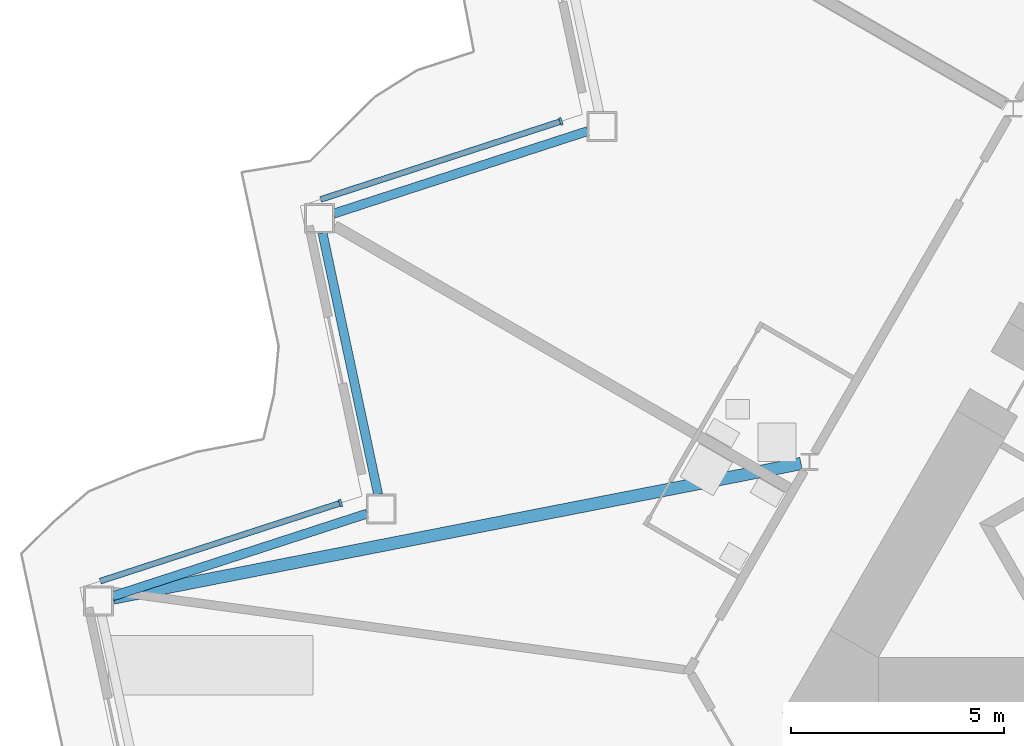
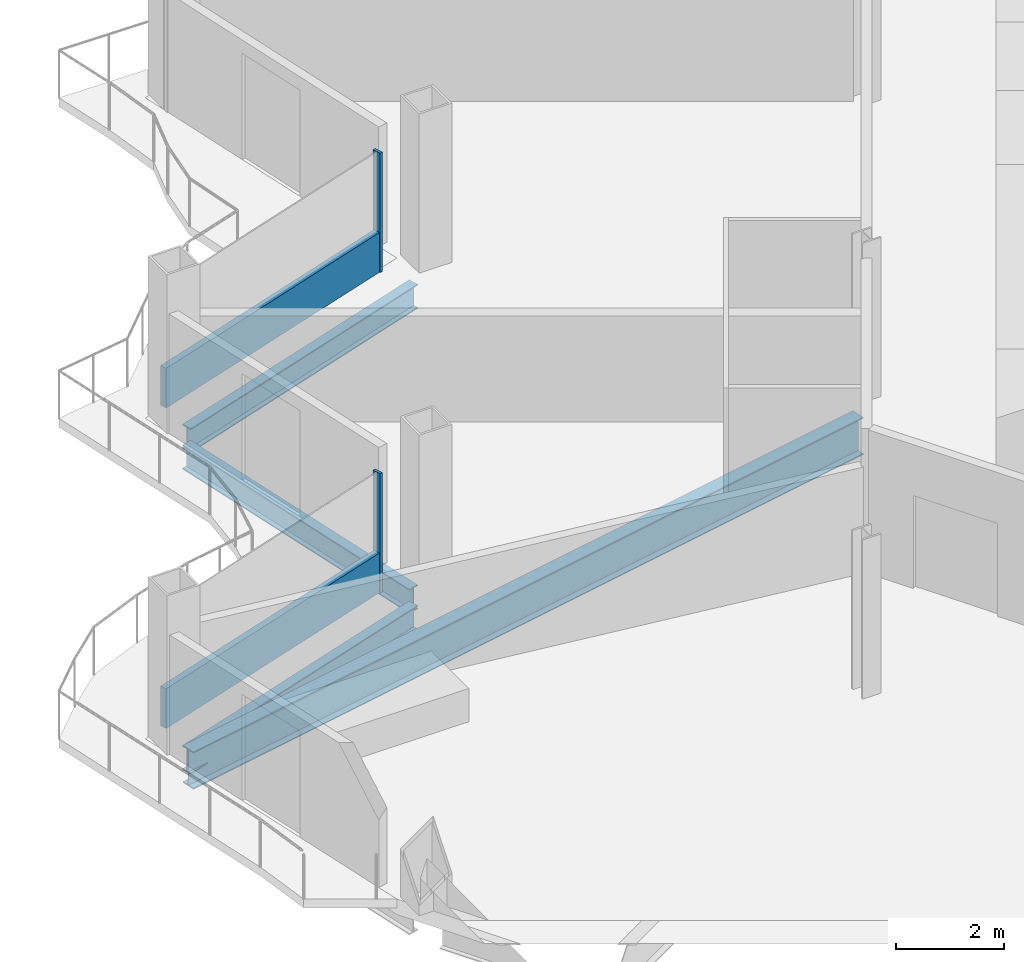
# One storey, part 5 of 23: 4 beams, 4 members, 2 elements without a shape of their own.
"""IFC4 building model written with IfcOpenShell, lengths in metres."""

from ifc_helpers import new_model, si_unit, direction, frame, origin, origin_2d, place, context, subcontext, project, spatial, rectangle, i_section, extrude, material, layer, layer_set, material_profile, profile_set, type_object, element, aggregate, save


model = new_model("IFC4")

# Units and contexts
model_context = context("Model", 3, precision=1e-05, world=origin(), true_north=direction((0.0, 1.0)))
body_context = subcontext(model_context, "Body", "Model", "MODEL_VIEW")
ifc_project = project(units=[si_unit("LENGTHUNIT", "METRE"), si_unit("AREAUNIT", "SQUARE_METRE"), si_unit("VOLUMEUNIT", "CUBIC_METRE"), si_unit("PLANEANGLEUNIT", "RADIAN"), si_unit("MASSUNIT", "GRAM", prefix="KILO")], contexts=[model_context])

# Site, building, storey
site_placement = place(None, origin())
site = spatial("IfcSite", under=ifc_project, at=site_placement, CompositionType="ELEMENT")
building_placement = place(site_placement, origin())
building = spatial("IfcBuilding", under=site, at=building_placement, Name="Cormorant Prow Tower", CompositionType="ELEMENT")
storey_placement = place(building_placement, frame((0.0, 0.0, 245.39990234375)))
storey = spatial("IfcBuildingStorey", under=building, at=storey_placement, Name="L54", CompositionType="ELEMENT", Elevation=245.39990234375)

# Curtain wall, member
ifc_material_1 = material(Name="Aluminium 6063-T6", Category="aluminium")
ifc_layer = layer(ifc_material_1, 0.179931640625)
ifc_layer_set = layer_set([ifc_layer], Name="Aluminium 6063-T6")
curtain_wall_type = type_object("IfcCurtainWallType", Name="Hotel unitised curtain wall 180", PredefinedType="NOTDEFINED", material=ifc_layer_set)
curtain_wall_1_placement = place(storey_placement, origin())
curtain_wall_1 = element("IfcCurtainWall", 1, at=curtain_wall_1_placement, inside=storey, type_object=curtain_wall_type, Name="Hotel curtain wall WNW06", PredefinedType="NOTDEFINED")
ifc_material_2 = material(Name="Aluminium 6063-T6", Category="aluminium")
ifc_material_profile_1 = material_profile(ifc_material_2, rectangle(XDim=0.179931640625, YDim=0.06005859375, at=origin_2d()), Name="Hotel mullion 60x180")
ifc_profile_set_1 = profile_set([ifc_material_profile_1], Name="Aluminium 6063-T6")
member_type_1 = type_object("IfcMemberType", Name="Hotel mullion 60x180", PredefinedType="MULLION", material=ifc_profile_set_1)
member_1_placement = place(storey_placement, frame((-20.203857421875, 5.232666015625, 0.0), z_axis=(0.0, 0.0, 1.0), x_axis=(0.309017031391, -0.951056504268, 0.0)))
member_1 = element("IfcMember", 2, at=member_1_placement, type_object=member_type_1, Name="Hotel mullion WNW06", PredefinedType="MULLION", context=body_context, shape_type="SweptSolid", body=[
    extrude(rectangle(XDim=0.179931640625, YDim=0.06005859375, at=origin_2d()), origin(), (0.0, 0.0, 1.0), 2.700927734375),
])

curtain_wall_2_placement = place(storey_placement, origin())
curtain_wall_2 = element("IfcCurtainWall", 3, at=curtain_wall_2_placement, inside=storey, type_object=curtain_wall_type, Name="Hotel curtain wall WNW08", PredefinedType="NOTDEFINED")
member_2_placement = place(storey_placement, frame((-25.379638671875, -3.73193359375, 0.0), z_axis=(0.0, 0.0, 1.0), x_axis=(0.30901690152, -0.951056546466, 0.0)))
member_2 = element("IfcMember", 4, at=member_2_placement, type_object=member_type_1, Name="Hotel mullion WNW08", PredefinedType="MULLION", context=body_context, shape_type="SweptSolid", body=[
    extrude(rectangle(XDim=0.179931640625, YDim=0.06005859375, at=origin_2d()), origin(), (0.0, 0.0, 1.0), 2.700927734375),
])

# Member
ifc_material_3 = material(Name="Terracotta", Category="masonry")
ifc_material_profile_2 = material_profile(ifc_material_3, rectangle(XDim=0.139892578125, YDim=0.89990234375, at=origin_2d()), Name="Hotel terracotta spandrel rail 140x900")
ifc_profile_set_2 = profile_set([ifc_material_profile_2], Name="Terracotta")
member_type_2 = type_object("IfcMemberType", Name="Hotel terracotta spandrel rail 140x900", PredefinedType="USERDEFINED", material=ifc_profile_set_2)
member_3_placement = place(storey_placement, frame((-20.232421875, 5.223388671875, 0.4501953125), z_axis=(-0.9510589899, -0.309009381297, 0.0), x_axis=(0.309009381297, -0.9510589899, 0.0)))
member_3 = element("IfcMember", 5, at=member_3_placement, type_object=member_type_2, Name="Hotel spandrel rail WNW06", ObjectType="TRANSOM", PredefinedType="USERDEFINED", context=body_context, shape_type="SweptSolid", body=[
    extrude(rectangle(XDim=0.139892578125, YDim=0.89990234375, at=origin_2d()), origin(), (0.0, 0.0, 1.0), 5.902587890625),
])

aggregate(curtain_wall_1, [member_1, member_3])

member_4_placement = place(storey_placement, frame((-25.408203125, -3.7412109375, 0.4501953125), z_axis=(-0.9510589899, -0.309009381297, 0.0), x_axis=(0.309009381297, -0.9510589899, 0.0)))
member_4 = element("IfcMember", 6, at=member_4_placement, type_object=member_type_2, Name="Hotel spandrel rail WNW08", ObjectType="TRANSOM", PredefinedType="USERDEFINED", context=body_context, shape_type="SweptSolid", body=[
    extrude(rectangle(XDim=0.139892578125, YDim=0.89990234375, at=origin_2d()), origin(), (0.0, 0.0, 1.0), 5.902587890625),
])

aggregate(curtain_wall_2, [member_2, member_4])

# Beams
ifc_material_4 = material(Name="Structural steel ASTM A992 Gr 50", Category="steel")
ifc_material_profile_3 = material_profile(ifc_material_4, i_section(OverallWidth=0.29296875, OverallDepth=0.845703125, WebThickness=0.015380859375, FlangeThickness=0.0244140625, at=origin_2d()), Name="W33x141")
ifc_profile_set_3 = profile_set([ifc_material_profile_3], Name="Structural steel ASTM A992 Gr 50")
beam_type_1 = type_object("IfcBeamType", Name="Radial floor beam W33x141", PredefinedType="BEAM", material=ifc_profile_set_3)
beam_placement = place(storey_placement, frame((-14.5634765625, -2.80322265625, -0.772705078125), z_axis=(-0.981419133752, -0.191876220269, 0.0), x_axis=(0.191876220269, -0.981419133752, 0.0)))
element("IfcBeam", 7, at=beam_placement, inside=storey, type_object=beam_type_1, Name="Radial floor beam FB2 4 L54", PredefinedType="BEAM", context=body_context, shape_type="SweptSolid", body=[
    extrude(i_section(OverallWidth=0.29296875, OverallDepth=0.845703125, WebThickness=0.015380859375, FlangeThickness=0.0244140625, at=origin_2d()), origin(), (0.0, 0.0, 1.0), 16.462158203125),
])
ifc_material_5 = material(Name="Structural steel ASTM A992 Gr 50", Category="steel")
ifc_material_profile_4 = material_profile(ifc_material_5, i_section(OverallWidth=0.2138671875, OverallDepth=0.549072265625, WebThickness=0.0146484375, FlangeThickness=0.023681640625, at=origin_2d()), Name="W21x93")
ifc_profile_set_4 = profile_set([ifc_material_profile_4], Name="Structural steel ASTM A992 Gr 50")
beam_type_2 = type_object("IfcBeamType", Name="Spandrel beam W21x93", PredefinedType="SPANDREL", material=ifc_profile_set_4)
for number, where, z_axis, x_axis, name in (
    (8, (-19.568115234375, 5.00634765625, -0.62451171875), (-0.951061771288, -0.309000820701, 0.0), (0.309000820701, -0.951061771288, 0.0), "Spandrel beam SB2 WNW06-WNW07 L54"),
    (9, (-25.80224609375, 2.61474609375, -0.62451171875), (0.207941499013, -0.978141264331, 0.0), (0.978141264331, 0.207941499013, 0.0), "Spandrel beam SB2 WNW07-WNW08 L54"),
    (10, (-24.75634765625, -3.97998046875, -0.62451171875), (-0.951061771288, -0.309000820701, 0.0), (0.309000820701, -0.951061771288, 0.0), "Spandrel beam SB2 WNW08-WNW09 L54"),
):
    element("IfcBeam", number, at=place(storey_placement, frame(where, z_axis=z_axis, x_axis=x_axis)), inside=storey, type_object=beam_type_2, Name=name, PredefinedType="SPANDREL", context=body_context, shape_type="SweptSolid", body=[
        extrude(i_section(OverallWidth=0.2138671875, OverallDepth=0.549072265625, WebThickness=0.0146484375, FlangeThickness=0.023681640625, at=origin_2d()), origin(), (0.0, 0.0, 1.0), 6.28125),
    ])

save(model, "model.ifc")
